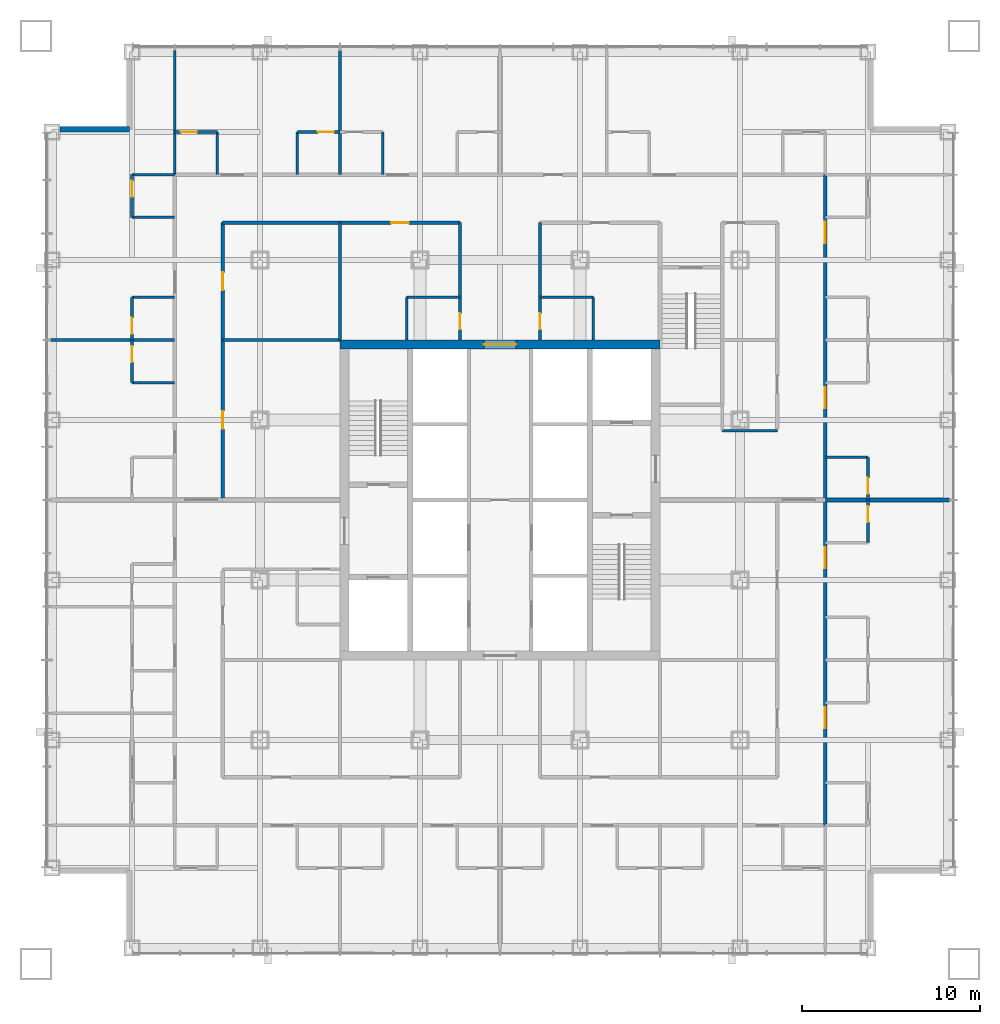
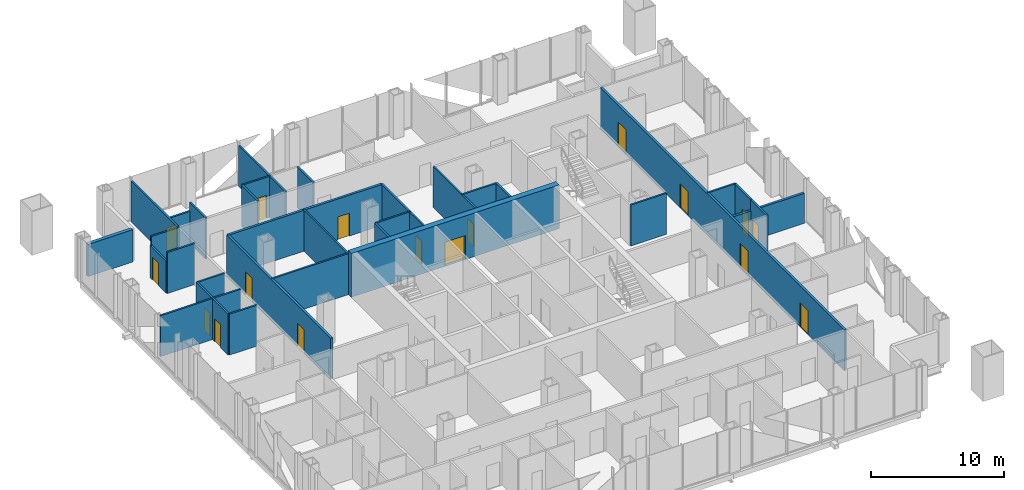
# One storey, part 10 of 13: 33 walls, 17 doors, 17 openings.
"""IFC4 building model written with IfcOpenShell, lengths in metres."""

from ifc_helpers import new_model, si_unit, direction, frame, frame_2d, origin, place, context, subcontext, project, spatial, rectangle, extrude, material, layer, layer_set, type_object, element, fill, save


model = new_model("IFC4")

# Units and contexts
model_context = context("Model", 3, precision=1e-05, world=origin(), true_north=direction((0.0, 1.0)))
body_context = subcontext(model_context, "Body", "Model", "MODEL_VIEW")
ifc_project = project(units=[si_unit("LENGTHUNIT", "METRE"), si_unit("AREAUNIT", "SQUARE_METRE"), si_unit("VOLUMEUNIT", "CUBIC_METRE"), si_unit("PLANEANGLEUNIT", "RADIAN"), si_unit("MASSUNIT", "GRAM", prefix="KILO")], contexts=[model_context])

# Site, building, storey
site_placement = place(None, origin())
site = spatial("IfcSite", under=ifc_project, at=site_placement, CompositionType="ELEMENT")
building_placement = place(site_placement, origin())
building = spatial("IfcBuilding", under=site, at=building_placement, Name="Malebo Sky Hospital", CompositionType="ELEMENT")
storey_placement = place(building_placement, frame((0.0, 0.0, 39.0)))
storey = spatial("IfcBuildingStorey", under=building, at=storey_placement, Name="L08", CompositionType="ELEMENT", Elevation=39.0)

# Wall, opening, door
ifc_material_1 = material(Name="Concrete C80/95", Category="concrete")
ifc_layer_1 = layer(ifc_material_1, 0.5)
ifc_layer_set_1 = layer_set([ifc_layer_1], Name="CORE WALL 500")
wall_type_1 = type_object("IfcWallType", Name="CORE WALL 500", PredefinedType="SHEAR", material=ifc_layer_set_1)
wall_1_placement = place(storey_placement, frame((51.0, 70.75, 0.0), z_axis=(0.0, 0.0, 1.0), x_axis=(1.0, 0.0, 0.0)))
wall_1 = element("IfcWall", 1, at=wall_1_placement, inside=storey, type_object=wall_type_1, Name="Core wall N L08", PredefinedType="SHEAR", context=body_context, shape_type="SweptSolid", body=[
    extrude(rectangle(XDim=18.0, YDim=0.5, at=frame_2d((9.0, 0.0))), origin(), (0.0, 0.0, 1.0), 4.0),
])
opening_1_placement = place(wall_1_placement, frame((8.10009765625, 0.0, 0.0)))
opening_1 = element("IfcOpeningElement", 2, at=opening_1_placement, cuts=wall_1, Name="Opening D06", PredefinedType="OPENING", context=body_context, shape_type="SweptSolid", body=[
    extrude(rectangle(XDim=1.800048828125, YDim=2.199951171875, at=frame_2d((0.89990234375, 1.10009765625))), frame((0.0, 0.260009765625, 0.0), z_axis=(0.0, -1.0, 0.0), x_axis=(1.0, 0.0, 0.0)), (0.0, 0.0, 1.0), 0.52001953125),
])
ifc_material_2 = material(Name="Hardwood-faced door leaf in steel frame", Category="steel")
door_type_1 = type_object("IfcDoorType", Name="LOBBY DOOR PAIR 1800", OperationType="DOUBLE_DOOR_SINGLE_SWING", PredefinedType="DOOR", material=ifc_material_2)
door_1_placement = place(opening_1_placement, origin())
door_1 = element("IfcDoor", 3, at=door_1_placement, inside=storey, type_object=door_type_1, Name="linen store door north", OperationType="DOUBLE_DOOR_SINGLE_SWING", OverallHeight=2.199951171875, OverallWidth=1.800048828125, PredefinedType="DOOR", context=body_context, shape_type="SweptSolid", body=[
    extrude(rectangle(XDim=1.800048828125, YDim=2.199951171875, at=frame_2d((0.89990234375, 1.10009765625))), frame((0.0, 0.02490234375, 0.0), z_axis=(0.0, -1.0, 0.0), x_axis=(1.0, 0.0, 0.0)), (0.0, 0.0, 1.0), 0.050048828125),
])
fill(opening_1, door_1)

ifc_material_3 = material(Name="Gypsum board on steel studs", Category="steel")
ifc_layer_2 = layer(ifc_material_3, 0.199951171875)
ifc_layer_set_2 = layer_set([ifc_layer_2], Name="CORRIDOR WALL 200")
wall_type_2 = type_object("IfcWallType", Name="CORRIDOR WALL 200", PredefinedType="PARTITIONING", material=ifc_layer_set_2)
wall_2_placement = place(storey_placement, frame((44.39990234375, 77.60009765625, 0.0), z_axis=(0.0, 0.0, 1.0), x_axis=(1.0, 0.0, 0.0)))
wall_2 = element("IfcWall", 4, at=wall_2_placement, inside=storey, type_object=wall_type_2, Name="Corridor Wall 200 NCI1", PredefinedType="PARTITIONING", context=body_context, shape_type="SweptSolid", body=[
    extrude(rectangle(XDim=13.35009765625, YDim=0.199951171875, at=frame_2d((6.675048828125, 0.0))), origin(), (0.0, 0.0, 1.0), 3.75),
])
opening_2_placement = place(wall_2_placement, frame((9.47509765625, 0.0, 0.0)))
opening_2 = element("IfcOpeningElement", 5, at=opening_2_placement, cuts=wall_2, Name="Opening D03", PredefinedType="OPENING", context=body_context, shape_type="SweptSolid", body=[
    extrude(rectangle(XDim=1.0, YDim=2.10009765625, at=frame_2d((0.5, 1.050048828125))), frame((0.0, 0.10986328125, 0.0), z_axis=(0.0, -1.0, 0.0), x_axis=(1.0, 0.0, 0.0)), (0.0, 0.0, 1.0), 0.219970703125),
])
door_type_2 = type_object("IfcDoorType", Name="ROOM DOOR 1000", OperationType="SINGLE_SWING_LEFT", PredefinedType="DOOR", material=ifc_material_2)
door_2_placement = place(opening_2_placement, origin())
door_2 = element("IfcDoor", 6, at=door_2_placement, inside=storey, type_object=door_type_2, Name="Ward office door", OperationType="SINGLE_SWING_LEFT", OverallHeight=2.10009765625, OverallWidth=1.0, PredefinedType="DOOR", context=body_context, shape_type="SweptSolid", body=[
    extrude(rectangle(XDim=1.0, YDim=2.10009765625, at=frame_2d((0.5, 1.050048828125))), frame((0.0, 0.02490234375, 0.0), z_axis=(0.0, -1.0, 0.0), x_axis=(1.0, 0.0, 0.0)), (0.0, 0.0, 1.0), 0.050048828125),
])
fill(opening_2, door_2)

# Wall, openings, doors
wall_3_placement = place(storey_placement, frame((44.39990234375, 62.0, 0.0), z_axis=(0.0, 0.0, 1.0), x_axis=(0.0, 1.0, 0.0)))
wall_3 = element("IfcWall", 7, at=wall_3_placement, inside=storey, type_object=wall_type_2, Name="Corridor Wall 200 WCI2", PredefinedType="PARTITIONING", context=body_context, shape_type="SweptSolid", body=[
    extrude(rectangle(XDim=15.60009765625, YDim=0.199951171875, at=frame_2d((7.800048828125, 0.0))), origin(), (0.0, 0.0, 1.0), 3.75),
])
opening_3_placement = place(wall_3_placement, frame((4.0, 0.0, 0.0)))
opening_3 = element("IfcOpeningElement", 8, at=opening_3_placement, cuts=wall_3, Name="Opening D03", PredefinedType="OPENING", context=body_context, shape_type="SweptSolid", body=[
    extrude(rectangle(XDim=1.0, YDim=2.10009765625, at=frame_2d((0.5, 1.050048828125))), frame((0.0, 0.10986328125, 0.0), z_axis=(0.0, -1.0, 0.0), x_axis=(1.0, 0.0, 0.0)), (0.0, 0.0, 1.0), 0.219970703125),
])
opening_4_placement = place(wall_3_placement, frame((11.800048828125, 0.0, 0.0)))
opening_4 = element("IfcOpeningElement", 9, at=opening_4_placement, cuts=wall_3, Name="Opening D03", PredefinedType="OPENING", context=body_context, shape_type="SweptSolid", body=[
    extrude(rectangle(XDim=1.0, YDim=2.10009765625, at=frame_2d((0.5, 1.050048828125))), frame((0.0, 0.10986328125, 0.0), z_axis=(0.0, -1.0, 0.0), x_axis=(1.0, 0.0, 0.0)), (0.0, 0.0, 1.0), 0.219970703125),
])
door_3_placement = place(opening_3_placement, origin())
door_3 = element("IfcDoor", 10, at=door_3_placement, inside=storey, type_object=door_type_2, Name="Nurse station door", OperationType="SINGLE_SWING_LEFT", OverallHeight=2.10009765625, OverallWidth=1.0, PredefinedType="DOOR", context=body_context, shape_type="SweptSolid", body=[
    extrude(rectangle(XDim=1.0, YDim=2.10009765625, at=frame_2d((0.5, 1.050048828125))), frame((0.0, 0.02490234375, 0.0), z_axis=(0.0, -1.0, 0.0), x_axis=(1.0, 0.0, 0.0)), (0.0, 0.0, 1.0), 0.050048828125),
])
fill(opening_3, door_3)
door_4_placement = place(opening_4_placement, origin())
door_4 = element("IfcDoor", 11, at=door_4_placement, inside=storey, type_object=door_type_2, Name="Staff base door", OperationType="SINGLE_SWING_RIGHT", OverallHeight=2.10009765625, OverallWidth=1.0, PredefinedType="DOOR", context=body_context, shape_type="SweptSolid", body=[
    extrude(rectangle(XDim=1.0, YDim=2.10009765625, at=frame_2d((0.5, 1.050048828125))), frame((0.0, 0.02490234375, 0.0), z_axis=(0.0, -1.0, 0.0), x_axis=(1.0, 0.0, 0.0)), (0.0, 0.0, 1.0), 0.050048828125),
])
fill(opening_4, door_4)

wall_4_placement = place(storey_placement, frame((78.300048828125, 80.300048828125, 0.0), z_axis=(0.0, 0.0, 1.0), x_axis=(0.0, -1.0, 0.0)))
wall_4 = element("IfcWall", 12, at=wall_4_placement, inside=storey, type_object=wall_type_2, Name="Corridor Wall 200 ECO", PredefinedType="PARTITIONING", context=body_context, shape_type="SweptSolid", body=[
    extrude(rectangle(XDim=36.60009765625, YDim=0.199951171875, at=frame_2d((18.300048828125, 0.0))), origin(), (0.0, 0.0, 1.0), 3.75),
])
opening_5_placement = place(wall_4_placement, frame((2.64990234375, 0.0, 0.0)))
opening_5 = element("IfcOpeningElement", 13, at=opening_5_placement, cuts=wall_4, Name="Opening D01", PredefinedType="OPENING", context=body_context, shape_type="SweptSolid", body=[
    extrude(rectangle(XDim=1.199951171875, YDim=2.199951171875, at=frame_2d((0.60009765625, 1.10009765625))), frame((0.0, 0.10986328125, 0.0), z_axis=(0.0, -1.0, 0.0), x_axis=(1.0, 0.0, 0.0)), (0.0, 0.0, 1.0), 0.219970703125),
])
opening_6_placement = place(wall_4_placement, frame((11.949951171875, 0.0, 0.0)))
opening_6 = element("IfcOpeningElement", 14, at=opening_6_placement, cuts=wall_4, Name="Opening D01", PredefinedType="OPENING", context=body_context, shape_type="SweptSolid", body=[
    extrude(rectangle(XDim=1.199951171875, YDim=2.199951171875, at=frame_2d((0.60009765625, 1.10009765625))), frame((0.0, 0.10986328125, 0.0), z_axis=(0.0, -1.0, 0.0), x_axis=(1.0, 0.0, 0.0)), (0.0, 0.0, 1.0), 0.219970703125),
])
opening_7_placement = place(wall_4_placement, frame((20.949951171875, 0.0, 0.0)))
opening_7 = element("IfcOpeningElement", 15, at=opening_7_placement, cuts=wall_4, Name="Opening D01", PredefinedType="OPENING", context=body_context, shape_type="SweptSolid", body=[
    extrude(rectangle(XDim=1.199951171875, YDim=2.199951171875, at=frame_2d((0.60009765625, 1.10009765625))), frame((0.0, 0.10986328125, 0.0), z_axis=(0.0, -1.0, 0.0), x_axis=(1.0, 0.0, 0.0)), (0.0, 0.0, 1.0), 0.219970703125),
])
opening_8_placement = place(wall_4_placement, frame((29.949951171875, 0.0, 0.0)))
opening_8 = element("IfcOpeningElement", 16, at=opening_8_placement, cuts=wall_4, Name="Opening D01", PredefinedType="OPENING", context=body_context, shape_type="SweptSolid", body=[
    extrude(rectangle(XDim=1.199951171875, YDim=2.199951171875, at=frame_2d((0.60009765625, 1.10009765625))), frame((0.0, 0.10986328125, 0.0), z_axis=(0.0, -1.0, 0.0), x_axis=(1.0, 0.0, 0.0)), (0.0, 0.0, 1.0), 0.219970703125),
])
door_type_3 = type_object("IfcDoorType", Name="BED DOOR 1200", OperationType="SINGLE_SWING_LEFT", PredefinedType="DOOR", material=ifc_material_2)
door_5_placement = place(opening_5_placement, origin())
door_5 = element("IfcDoor", 17, at=door_5_placement, inside=storey, type_object=door_type_3, Name="Four-bed bay door", OperationType="SINGLE_SWING_LEFT", OverallHeight=2.199951171875, OverallWidth=1.199951171875, PredefinedType="DOOR", context=body_context, shape_type="SweptSolid", body=[
    extrude(rectangle(XDim=1.199951171875, YDim=2.199951171875, at=frame_2d((0.60009765625, 1.10009765625))), frame((0.0, 0.02490234375, 0.0), z_axis=(0.0, -1.0, 0.0), x_axis=(1.0, 0.0, 0.0)), (0.0, 0.0, 1.0), 0.050048828125),
])
fill(opening_5, door_5)
door_6_placement = place(opening_6_placement, origin())
door_6 = element("IfcDoor", 18, at=door_6_placement, inside=storey, type_object=door_type_3, Name="Four-bed bay door", OperationType="SINGLE_SWING_LEFT", OverallHeight=2.199951171875, OverallWidth=1.199951171875, PredefinedType="DOOR", context=body_context, shape_type="SweptSolid", body=[
    extrude(rectangle(XDim=1.199951171875, YDim=2.199951171875, at=frame_2d((0.60009765625, 1.10009765625))), frame((0.0, 0.02490234375, 0.0), z_axis=(0.0, -1.0, 0.0), x_axis=(1.0, 0.0, 0.0)), (0.0, 0.0, 1.0), 0.050048828125),
])
fill(opening_6, door_6)
door_7_placement = place(opening_7_placement, origin())
door_7 = element("IfcDoor", 19, at=door_7_placement, inside=storey, type_object=door_type_3, Name="Four-bed bay door", OperationType="SINGLE_SWING_LEFT", OverallHeight=2.199951171875, OverallWidth=1.199951171875, PredefinedType="DOOR", context=body_context, shape_type="SweptSolid", body=[
    extrude(rectangle(XDim=1.199951171875, YDim=2.199951171875, at=frame_2d((0.60009765625, 1.10009765625))), frame((0.0, 0.02490234375, 0.0), z_axis=(0.0, -1.0, 0.0), x_axis=(1.0, 0.0, 0.0)), (0.0, 0.0, 1.0), 0.050048828125),
])
fill(opening_7, door_7)
door_8_placement = place(opening_8_placement, origin())
door_8 = element("IfcDoor", 20, at=door_8_placement, inside=storey, type_object=door_type_3, Name="Four-bed bay door", OperationType="SINGLE_SWING_LEFT", OverallHeight=2.199951171875, OverallWidth=1.199951171875, PredefinedType="DOOR", context=body_context, shape_type="SweptSolid", body=[
    extrude(rectangle(XDim=1.199951171875, YDim=2.199951171875, at=frame_2d((0.60009765625, 1.10009765625))), frame((0.0, 0.02490234375, 0.0), z_axis=(0.0, -1.0, 0.0), x_axis=(1.0, 0.0, 0.0)), (0.0, 0.0, 1.0), 0.050048828125),
])
fill(opening_8, door_8)

# Walls
ifc_material_4 = material(Name="Anodised aluminium rainscreen on steel framing", Category="steel")
ifc_layer_3 = layer(ifc_material_4, 0.300048828125)
ifc_layer_set_3 = layer_set([ifc_layer_3], Name="NOTCH RAINSCREEN WALL 300")
wall_type_3 = type_object("IfcWallType", Name="NOTCH RAINSCREEN WALL 300", PredefinedType="ELEMENTEDWALL", material=ifc_layer_set_3)
wall_5_placement = place(storey_placement, frame((35.25, 82.85009765625, 0.0), z_axis=(0.0, 0.0, 1.0), x_axis=(1.0, 0.0, 0.0)))
element("IfcWall", 21, at=wall_5_placement, inside=storey, type_object=wall_type_3, Name="Notch rainscreen wall W1 L08", PredefinedType="ELEMENTEDWALL", context=body_context, shape_type="SweptSolid", body=[
    extrude(rectangle(XDim=3.89990234375, YDim=0.300048828125, at=frame_2d((1.949951171875, 0.0))), origin(), (0.0, 0.0, 1.0), 2.949951171875),
])
ifc_layer_4 = layer(ifc_material_3, 0.14990234375)
ifc_layer_set_4 = layer_set([ifc_layer_4], Name="PARTITION 150")
wall_type_4 = type_object("IfcWallType", Name="PARTITION 150", PredefinedType="PARTITIONING", material=ifc_layer_set_4)
for number, where, z_axis, x_axis, name in (
    (22, (51.0, 80.300048828125, 0.0), (0.0, 0.0, 1.0), (0.0, 1.0, 0.0), "Partition 150 NP-9.0"),
    (23, (41.699951171875, 80.300048828125, 0.0), (0.0, 0.0, 1.0), (0.0, 1.0, 0.0), "Partition 150 NP0"),
):
    element("IfcWall", number, at=place(storey_placement, frame(where, z_axis=z_axis, x_axis=x_axis)), inside=storey, type_object=wall_type_4, Name=name, PredefinedType="PARTITIONING", context=body_context, shape_type="SweptSolid", body=[
        extrude(rectangle(XDim=6.974853515625, YDim=0.14990234375, at=frame_2d((3.4873046875, 0.0))), origin(), (0.0, 0.0, 1.0), 3.75),
    ])

# Wall, opening, door
wall_6_placement = place(storey_placement, frame((41.699951171875, 82.699951171875, 0.0), z_axis=(0.0, 0.0, 1.0), x_axis=(1.0, 0.0, 0.0)))
wall_6 = element("IfcWall", 24, at=wall_6_placement, inside=storey, type_object=wall_type_4, Name="Partition 150 NE0F", PredefinedType="PARTITIONING", context=body_context, shape_type="SweptSolid", body=[
    extrude(rectangle(XDim=2.400146484375, YDim=0.14990234375, at=frame_2d((1.2001953125, 0.0))), origin(), (0.0, 0.0, 1.0), 2.949951171875),
])
opening_9_placement = place(wall_6_placement, frame((0.35009765625, 0.0, 0.0)))
opening_9 = element("IfcOpeningElement", 25, at=opening_9_placement, cuts=wall_6, Name="Opening D02", PredefinedType="OPENING", context=body_context, shape_type="SweptSolid", body=[
    extrude(rectangle(XDim=0.89990234375, YDim=2.10009765625, at=frame_2d((0.449951171875, 1.050048828125))), frame((0.0, 0.0849609375, 0.0), z_axis=(0.0, -1.0, 0.0), x_axis=(1.0, 0.0, 0.0)), (0.0, 0.0, 1.0), 0.169921875),
])
door_type_4 = type_object("IfcDoorType", Name="EN-SUITE DOOR 900", OperationType="SINGLE_SWING_LEFT", PredefinedType="DOOR", material=ifc_material_2)
door_9_placement = place(opening_9_placement, origin())
door_9 = element("IfcDoor", 26, at=door_9_placement, inside=storey, type_object=door_type_4, Name="En-suite door", OperationType="SINGLE_SWING_LEFT", OverallHeight=2.10009765625, OverallWidth=0.89990234375, PredefinedType="DOOR", context=body_context, shape_type="SweptSolid", body=[
    extrude(rectangle(XDim=0.89990234375, YDim=2.10009765625, at=frame_2d((0.449951171875, 1.050048828125))), frame((0.0, 0.02490234375, 0.0), z_axis=(0.0, -1.0, 0.0), x_axis=(1.0, 0.0, 0.0)), (0.0, 0.0, 1.0), 0.050048828125),
])
fill(opening_9, door_9)

# Wall
wall_7_placement = place(storey_placement, frame((44.10009765625, 80.300048828125, 0.0), z_axis=(0.0, 0.0, 1.0), x_axis=(0.0, 1.0, 0.0)))
element("IfcWall", 27, at=wall_7_placement, inside=storey, type_object=wall_type_4, Name="Partition 150 NE0S", PredefinedType="PARTITIONING", context=body_context, shape_type="SweptSolid", body=[
    extrude(rectangle(XDim=2.39990234375, YDim=0.14990234375, at=frame_2d((1.199951171875, 0.0))), origin(), (0.0, 0.0, 1.0), 3.75),
])

# Wall, opening, door
wall_8_placement = place(storey_placement, frame((48.60009765625, 82.699951171875, 0.0), z_axis=(0.0, 0.0, 1.0), x_axis=(1.0, 0.0, 0.0)))
wall_8 = element("IfcWall", 28, at=wall_8_placement, inside=storey, type_object=wall_type_4, Name="Partition 150 NG0F", PredefinedType="PARTITIONING", context=body_context, shape_type="SweptSolid", body=[
    extrude(rectangle(XDim=2.39990234375, YDim=0.14990234375, at=frame_2d((1.199951171875, 0.0))), origin(), (0.0, 0.0, 1.0), 3.75),
])
opening_10_placement = place(wall_8_placement, frame((1.14990234375, 0.0, 0.0)))
opening_10 = element("IfcOpeningElement", 29, at=opening_10_placement, cuts=wall_8, Name="Opening D02", PredefinedType="OPENING", context=body_context, shape_type="SweptSolid", body=[
    extrude(rectangle(XDim=0.89990234375, YDim=2.10009765625, at=frame_2d((0.449951171875, 1.050048828125))), frame((0.0, 0.0849609375, 0.0), z_axis=(0.0, -1.0, 0.0), x_axis=(1.0, 0.0, 0.0)), (0.0, 0.0, 1.0), 0.169921875),
])
door_10_placement = place(opening_10_placement, origin())
door_10 = element("IfcDoor", 30, at=door_10_placement, inside=storey, type_object=door_type_4, Name="En-suite door", OperationType="SINGLE_SWING_RIGHT", OverallHeight=2.10009765625, OverallWidth=0.89990234375, PredefinedType="DOOR", context=body_context, shape_type="SweptSolid", body=[
    extrude(rectangle(XDim=0.89990234375, YDim=2.10009765625, at=frame_2d((0.449951171875, 1.050048828125))), frame((0.0, 0.02490234375, 0.0), z_axis=(0.0, -1.0, 0.0), x_axis=(1.0, 0.0, 0.0)), (0.0, 0.0, 1.0), 0.050048828125),
])
fill(opening_10, door_10)

# Walls
for number, where, z_axis, x_axis, name in (
    (31, (48.60009765625, 80.300048828125, 0.0), (0.0, 0.0, 1.0), (0.0, 1.0, 0.0), "Partition 150 NG0S"),
    (32, (53.39990234375, 80.300048828125, 0.0), (0.0, 0.0, 1.0), (0.0, 1.0, 0.0), "Partition 150 NE1S"),
):
    element("IfcWall", number, at=place(storey_placement, frame(where, z_axis=z_axis, x_axis=x_axis)), inside=storey, type_object=wall_type_4, Name=name, PredefinedType="PARTITIONING", context=body_context, shape_type="SweptSolid", body=[
        extrude(rectangle(XDim=2.39990234375, YDim=0.14990234375, at=frame_2d((1.199951171875, 0.0))), origin(), (0.0, 0.0, 1.0), 3.75),
    ])
wall_9_placement = place(storey_placement, frame((51.0, 71.0, 0.0), z_axis=(0.0, 0.0, 1.0), x_axis=(0.0, 1.0, 0.0)))
element("IfcWall", 33, at=wall_9_placement, inside=storey, type_object=wall_type_4, Name="Partition 150 NSP0", PredefinedType="PARTITIONING", context=body_context, shape_type="SweptSolid", body=[
    extrude(rectangle(XDim=6.60009765625, YDim=0.14990234375, at=frame_2d((3.300048828125, 0.0))), origin(), (0.0, 0.0, 1.0), 3.75),
])

# Wall, opening, door
wall_10_placement = place(storey_placement, frame((57.75, 71.0, 0.0), z_axis=(0.0, 0.0, 1.0), x_axis=(0.0, 1.0, 0.0)))
wall_10 = element("IfcWall", 34, at=wall_10_placement, inside=storey, type_object=wall_type_4, Name="Partition 150 NSPA", PredefinedType="PARTITIONING", context=body_context, shape_type="SweptSolid", body=[
    extrude(rectangle(XDim=6.60009765625, YDim=0.14990234375, at=frame_2d((3.300048828125, 0.0))), origin(), (0.0, 0.0, 1.0), 3.75),
])
opening_11_placement = place(wall_10_placement, frame((0.60009765625, 0.0, 0.0)))
opening_11 = element("IfcOpeningElement", 35, at=opening_11_placement, cuts=wall_10, Name="Opening D04", PredefinedType="OPENING", context=body_context, shape_type="SweptSolid", body=[
    extrude(rectangle(XDim=0.89990234375, YDim=2.10009765625, at=frame_2d((0.449951171875, 1.050048828125))), frame((0.0, 0.0849609375, 0.0), z_axis=(0.0, -1.0, 0.0), x_axis=(1.0, 0.0, 0.0)), (0.0, 0.0, 1.0), 0.169921875),
])
door_type_5 = type_object("IfcDoorType", Name="ROOM DOOR 900", OperationType="SINGLE_SWING_LEFT", PredefinedType="DOOR", material=ifc_material_2)
door_11_placement = place(opening_11_placement, origin())
door_11 = element("IfcDoor", 36, at=door_11_placement, inside=storey, type_object=door_type_5, Name="Staff WC door", OperationType="SINGLE_SWING_LEFT", OverallHeight=2.10009765625, OverallWidth=0.89990234375, PredefinedType="DOOR", context=body_context, shape_type="SweptSolid", body=[
    extrude(rectangle(XDim=0.89990234375, YDim=2.10009765625, at=frame_2d((0.449951171875, 1.050048828125))), frame((0.0, 0.02490234375, 0.0), z_axis=(0.0, -1.0, 0.0), x_axis=(1.0, 0.0, 0.0)), (0.0, 0.0, 1.0), 0.050048828125),
])
fill(opening_11, door_11)

wall_11_placement = place(storey_placement, frame((62.25, 71.0, 0.0), z_axis=(0.0, 0.0, 1.0), x_axis=(0.0, 1.0, 0.0)))
wall_11 = element("IfcWall", 37, at=wall_11_placement, inside=storey, type_object=wall_type_4, Name="Partition 150 NSPB", PredefinedType="PARTITIONING", context=body_context, shape_type="SweptSolid", body=[
    extrude(rectangle(XDim=6.60009765625, YDim=0.14990234375, at=frame_2d((3.300048828125, 0.0))), origin(), (0.0, 0.0, 1.0), 3.75),
])
opening_12_placement = place(wall_11_placement, frame((0.60009765625, 0.0, 0.0)))
opening_12 = element("IfcOpeningElement", 38, at=opening_12_placement, cuts=wall_11, Name="Opening D04", PredefinedType="OPENING", context=body_context, shape_type="SweptSolid", body=[
    extrude(rectangle(XDim=0.89990234375, YDim=2.10009765625, at=frame_2d((0.449951171875, 1.050048828125))), frame((0.0, 0.0849609375, 0.0), z_axis=(0.0, -1.0, 0.0), x_axis=(1.0, 0.0, 0.0)), (0.0, 0.0, 1.0), 0.169921875),
])
door_12_placement = place(opening_12_placement, origin())
door_12 = element("IfcDoor", 39, at=door_12_placement, inside=storey, type_object=door_type_5, Name="Accessible WC door", OperationType="SINGLE_SWING_LEFT", OverallHeight=2.10009765625, OverallWidth=0.89990234375, PredefinedType="DOOR", context=body_context, shape_type="SweptSolid", body=[
    extrude(rectangle(XDim=0.89990234375, YDim=2.10009765625, at=frame_2d((0.449951171875, 1.050048828125))), frame((0.0, 0.02490234375, 0.0), z_axis=(0.0, -1.0, 0.0), x_axis=(1.0, 0.0, 0.0)), (0.0, 0.0, 1.0), 0.050048828125),
])
fill(opening_12, door_12)

# Walls
wall_12_placement = place(storey_placement, frame((54.75, 73.39990234375, 0.0), z_axis=(0.0, 0.0, 1.0), x_axis=(1.0, 0.0, 0.0)))
element("IfcWall", 40, at=wall_12_placement, inside=storey, type_object=wall_type_4, Name="Partition 150 NSX0", PredefinedType="PARTITIONING", context=body_context, shape_type="SweptSolid", body=[
    extrude(rectangle(XDim=3.0, YDim=0.14990234375, at=frame_2d((1.5, 0.0))), origin(), (0.0, 0.0, 1.0), 3.75),
])
wall_13_placement = place(storey_placement, frame((54.75, 71.0, 0.0), z_axis=(0.0, 0.0, 1.0), x_axis=(0.0, 1.0, 0.0)))
element("IfcWall", 41, at=wall_13_placement, inside=storey, type_object=wall_type_4, Name="Partition 150 NSY0", PredefinedType="PARTITIONING", context=body_context, shape_type="SweptSolid", body=[
    extrude(rectangle(XDim=2.39990234375, YDim=0.14990234375, at=frame_2d((1.199951171875, 0.0))), origin(), (0.0, 0.0, 1.0), 3.75),
])
wall_14_placement = place(storey_placement, frame((62.25, 73.39990234375, 0.0), z_axis=(0.0, 0.0, 1.0), x_axis=(1.0, 0.0, 0.0)))
element("IfcWall", 42, at=wall_14_placement, inside=storey, type_object=wall_type_4, Name="Partition 150 NSX1", PredefinedType="PARTITIONING", context=body_context, shape_type="SweptSolid", body=[
    extrude(rectangle(XDim=3.0, YDim=0.14990234375, at=frame_2d((1.5, 0.0))), origin(), (0.0, 0.0, 1.0), 3.75),
])
wall_15_placement = place(storey_placement, frame((65.25, 71.0, 0.0), z_axis=(0.0, 0.0, 1.0), x_axis=(0.0, 1.0, 0.0)))
element("IfcWall", 43, at=wall_15_placement, inside=storey, type_object=wall_type_4, Name="Partition 150 NSY1", PredefinedType="PARTITIONING", context=body_context, shape_type="SweptSolid", body=[
    extrude(rectangle(XDim=2.39990234375, YDim=0.14990234375, at=frame_2d((1.199951171875, 0.0))), origin(), (0.0, 0.0, 1.0), 3.75),
])
wall_16_placement = place(storey_placement, frame((41.699951171875, 71.0, 0.0), z_axis=(0.0, 0.0, 1.0), x_axis=(-1.0, 0.0, 0.0)))
element("IfcWall", 44, at=wall_16_placement, inside=storey, type_object=wall_type_4, Name="Partition 150 WP+9.0", PredefinedType="PARTITIONING", context=body_context, shape_type="SweptSolid", body=[
    extrude(rectangle(XDim=6.974853515625, YDim=0.14990234375, at=frame_2d((3.4873046875, 0.0))), origin(), (0.0, 0.0, 1.0), 3.75),
])

# Wall, opening, door
wall_17_placement = place(storey_placement, frame((39.300048828125, 68.60009765625, 0.0), z_axis=(0.0, 0.0, 1.0), x_axis=(0.0, 1.0, 0.0)))
wall_17 = element("IfcWall", 45, at=wall_17_placement, inside=storey, type_object=wall_type_4, Name="Partition 150 WG3F", PredefinedType="PARTITIONING", context=body_context, shape_type="SweptSolid", body=[
    extrude(rectangle(XDim=2.39990234375, YDim=0.14990234375, at=frame_2d((1.199951171875, 0.0))), origin(), (0.0, 0.0, 1.0), 3.75),
])
opening_13_placement = place(wall_17_placement, frame((1.14990234375, 0.0, 0.0)))
opening_13 = element("IfcOpeningElement", 46, at=opening_13_placement, cuts=wall_17, Name="Opening D02", PredefinedType="OPENING", context=body_context, shape_type="SweptSolid", body=[
    extrude(rectangle(XDim=0.89990234375, YDim=2.10009765625, at=frame_2d((0.449951171875, 1.050048828125))), frame((0.0, 0.0849609375, 0.0), z_axis=(0.0, -1.0, 0.0), x_axis=(1.0, 0.0, 0.0)), (0.0, 0.0, 1.0), 0.169921875),
])
door_13_placement = place(opening_13_placement, origin())
door_13 = element("IfcDoor", 47, at=door_13_placement, inside=storey, type_object=door_type_4, Name="En-suite door", OperationType="SINGLE_SWING_RIGHT", OverallHeight=2.10009765625, OverallWidth=0.89990234375, PredefinedType="DOOR", context=body_context, shape_type="SweptSolid", body=[
    extrude(rectangle(XDim=0.89990234375, YDim=2.10009765625, at=frame_2d((0.449951171875, 1.050048828125))), frame((0.0, 0.02490234375, 0.0), z_axis=(0.0, -1.0, 0.0), x_axis=(1.0, 0.0, 0.0)), (0.0, 0.0, 1.0), 0.050048828125),
])
fill(opening_13, door_13)

# Wall
wall_18_placement = place(storey_placement, frame((41.699951171875, 68.60009765625, 0.0), z_axis=(0.0, 0.0, 1.0), x_axis=(-1.0, 0.0, 0.0)))
element("IfcWall", 48, at=wall_18_placement, inside=storey, type_object=wall_type_4, Name="Partition 150 WG3S", PredefinedType="PARTITIONING", context=body_context, shape_type="SweptSolid", body=[
    extrude(rectangle(XDim=2.39990234375, YDim=0.14990234375, at=frame_2d((1.199951171875, 0.0))), origin(), (0.0, 0.0, 1.0), 3.75),
])

# Wall, opening, door
wall_19_placement = place(storey_placement, frame((39.300048828125, 71.0, 0.0), z_axis=(0.0, 0.0, 1.0), x_axis=(0.0, 1.0, 0.0)))
wall_19 = element("IfcWall", 49, at=wall_19_placement, inside=storey, type_object=wall_type_4, Name="Partition 150 WE4F", PredefinedType="PARTITIONING", context=body_context, shape_type="SweptSolid", body=[
    extrude(rectangle(XDim=2.39990234375, YDim=0.14990234375, at=frame_2d((1.199951171875, 0.0))), origin(), (0.0, 0.0, 1.0), 3.75),
])
opening_14_placement = place(wall_19_placement, frame((0.35009765625, 0.0, 0.0)))
opening_14 = element("IfcOpeningElement", 50, at=opening_14_placement, cuts=wall_19, Name="Opening D02", PredefinedType="OPENING", context=body_context, shape_type="SweptSolid", body=[
    extrude(rectangle(XDim=0.89990234375, YDim=2.10009765625, at=frame_2d((0.449951171875, 1.050048828125))), frame((0.0, 0.0849609375, 0.0), z_axis=(0.0, -1.0, 0.0), x_axis=(1.0, 0.0, 0.0)), (0.0, 0.0, 1.0), 0.169921875),
])
door_14_placement = place(opening_14_placement, origin())
door_14 = element("IfcDoor", 51, at=door_14_placement, inside=storey, type_object=door_type_4, Name="En-suite door", OperationType="SINGLE_SWING_LEFT", OverallHeight=2.10009765625, OverallWidth=0.89990234375, PredefinedType="DOOR", context=body_context, shape_type="SweptSolid", body=[
    extrude(rectangle(XDim=0.89990234375, YDim=2.10009765625, at=frame_2d((0.449951171875, 1.050048828125))), frame((0.0, 0.02490234375, 0.0), z_axis=(0.0, -1.0, 0.0), x_axis=(1.0, 0.0, 0.0)), (0.0, 0.0, 1.0), 0.050048828125),
])
fill(opening_14, door_14)

# Wall
wall_20_placement = place(storey_placement, frame((41.699951171875, 73.39990234375, 0.0), z_axis=(0.0, 0.0, 1.0), x_axis=(-1.0, 0.0, 0.0)))
element("IfcWall", 52, at=wall_20_placement, inside=storey, type_object=wall_type_4, Name="Partition 150 WE4S", PredefinedType="PARTITIONING", context=body_context, shape_type="SweptSolid", body=[
    extrude(rectangle(XDim=2.39990234375, YDim=0.14990234375, at=frame_2d((1.199951171875, 0.0))), origin(), (0.0, 0.0, 1.0), 3.75),
])

# Wall, opening, door
wall_21_placement = place(storey_placement, frame((39.300048828125, 77.89990234375, 0.0), z_axis=(0.0, 0.0, 1.0), x_axis=(0.0, 1.0, 0.0)))
wall_21 = element("IfcWall", 53, at=wall_21_placement, inside=storey, type_object=wall_type_4, Name="Partition 150 WG4F", PredefinedType="PARTITIONING", context=body_context, shape_type="SweptSolid", body=[
    extrude(rectangle(XDim=2.400146484375, YDim=0.14990234375, at=frame_2d((1.2001953125, 0.0))), origin(), (0.0, 0.0, 1.0), 2.949951171875),
])
opening_15_placement = place(wall_21_placement, frame((1.14990234375, 0.0, 0.0)))
opening_15 = element("IfcOpeningElement", 54, at=opening_15_placement, cuts=wall_21, Name="Opening D02", PredefinedType="OPENING", context=body_context, shape_type="SweptSolid", body=[
    extrude(rectangle(XDim=0.89990234375, YDim=2.10009765625, at=frame_2d((0.449951171875, 1.050048828125))), frame((0.0, 0.0849609375, 0.0), z_axis=(0.0, -1.0, 0.0), x_axis=(1.0, 0.0, 0.0)), (0.0, 0.0, 1.0), 0.169921875),
])
door_15_placement = place(opening_15_placement, origin())
door_15 = element("IfcDoor", 55, at=door_15_placement, inside=storey, type_object=door_type_4, Name="En-suite door", OperationType="SINGLE_SWING_RIGHT", OverallHeight=2.10009765625, OverallWidth=0.89990234375, PredefinedType="DOOR", context=body_context, shape_type="SweptSolid", body=[
    extrude(rectangle(XDim=0.89990234375, YDim=2.10009765625, at=frame_2d((0.449951171875, 1.050048828125))), frame((0.0, 0.02490234375, 0.0), z_axis=(0.0, -1.0, 0.0), x_axis=(1.0, 0.0, 0.0)), (0.0, 0.0, 1.0), 0.050048828125),
])
fill(opening_15, door_15)

# Walls
for number, where, z_axis, x_axis, name in (
    (56, (41.699951171875, 77.89990234375, 0.0), (0.0, 0.0, 1.0), (-1.0, 0.0, 0.0), "Partition 150 WG4S"),
    (57, (41.699951171875, 80.300048828125, 0.0), (0.0, 0.0, 1.0), (-1.0, 0.0, 0.0), "Partition 150 WEZ"),
):
    element("IfcWall", number, at=place(storey_placement, frame(where, z_axis=z_axis, x_axis=x_axis)), inside=storey, type_object=wall_type_4, Name=name, PredefinedType="PARTITIONING", context=body_context, shape_type="SweptSolid", body=[
        extrude(rectangle(XDim=2.39990234375, YDim=0.14990234375, at=frame_2d((1.199951171875, 0.0))), origin(), (0.0, 0.0, 1.0), 3.75),
    ])
wall_22_placement = place(storey_placement, frame((51.0, 71.0, 0.0), z_axis=(0.0, 0.0, 1.0), x_axis=(-1.0, 0.0, 0.0)))
element("IfcWall", 58, at=wall_22_placement, inside=storey, type_object=wall_type_4, Name="Partition 150 WSP+9.0", PredefinedType="PARTITIONING", context=body_context, shape_type="SweptSolid", body=[
    extrude(rectangle(XDim=6.60009765625, YDim=0.14990234375, at=frame_2d((3.300048828125, 0.0))), origin(), (0.0, 0.0, 1.0), 3.75),
])

# Wall, opening, door
wall_23_placement = place(storey_placement, frame((80.699951171875, 64.39990234375, 0.0), z_axis=(0.0, 0.0, 1.0), x_axis=(0.0, -1.0, 0.0)))
wall_23 = element("IfcWall", 59, at=wall_23_placement, inside=storey, type_object=wall_type_4, Name="Partition 150 EG1F", PredefinedType="PARTITIONING", context=body_context, shape_type="SweptSolid", body=[
    extrude(rectangle(XDim=2.39990234375, YDim=0.14990234375, at=frame_2d((1.199951171875, 0.0))), origin(), (0.0, 0.0, 1.0), 3.75),
])
opening_16_placement = place(wall_23_placement, frame((1.14990234375, 0.0, 0.0)))
opening_16 = element("IfcOpeningElement", 60, at=opening_16_placement, cuts=wall_23, Name="Opening D02", PredefinedType="OPENING", context=body_context, shape_type="SweptSolid", body=[
    extrude(rectangle(XDim=0.89990234375, YDim=2.10009765625, at=frame_2d((0.449951171875, 1.050048828125))), frame((0.0, 0.0849609375, 0.0), z_axis=(0.0, -1.0, 0.0), x_axis=(1.0, 0.0, 0.0)), (0.0, 0.0, 1.0), 0.169921875),
])
door_16_placement = place(opening_16_placement, origin())
door_16 = element("IfcDoor", 61, at=door_16_placement, inside=storey, type_object=door_type_4, Name="En-suite door", OperationType="SINGLE_SWING_RIGHT", OverallHeight=2.10009765625, OverallWidth=0.89990234375, PredefinedType="DOOR", context=body_context, shape_type="SweptSolid", body=[
    extrude(rectangle(XDim=0.89990234375, YDim=2.10009765625, at=frame_2d((0.449951171875, 1.050048828125))), frame((0.0, 0.02490234375, 0.0), z_axis=(0.0, -1.0, 0.0), x_axis=(1.0, 0.0, 0.0)), (0.0, 0.0, 1.0), 0.050048828125),
])
fill(opening_16, door_16)

# Wall
wall_24_placement = place(storey_placement, frame((78.300048828125, 64.39990234375, 0.0), z_axis=(0.0, 0.0, 1.0), x_axis=(1.0, 0.0, 0.0)))
element("IfcWall", 62, at=wall_24_placement, inside=storey, type_object=wall_type_4, Name="Partition 150 EG1S", PredefinedType="PARTITIONING", context=body_context, shape_type="SweptSolid", body=[
    extrude(rectangle(XDim=2.39990234375, YDim=0.14990234375, at=frame_2d((1.199951171875, 0.0))), origin(), (0.0, 0.0, 1.0), 3.75),
])

# Wall, opening, door
wall_25_placement = place(storey_placement, frame((80.699951171875, 62.0, 0.0), z_axis=(0.0, 0.0, 1.0), x_axis=(0.0, -1.0, 0.0)))
wall_25 = element("IfcWall", 63, at=wall_25_placement, inside=storey, type_object=wall_type_4, Name="Partition 150 EE2F", PredefinedType="PARTITIONING", context=body_context, shape_type="SweptSolid", body=[
    extrude(rectangle(XDim=2.39990234375, YDim=0.14990234375, at=frame_2d((1.199951171875, 0.0))), origin(), (0.0, 0.0, 1.0), 3.75),
])
opening_17_placement = place(wall_25_placement, frame((0.35009765625, 0.0, 0.0)))
opening_17 = element("IfcOpeningElement", 64, at=opening_17_placement, cuts=wall_25, Name="Opening D02", PredefinedType="OPENING", context=body_context, shape_type="SweptSolid", body=[
    extrude(rectangle(XDim=0.89990234375, YDim=2.10009765625, at=frame_2d((0.449951171875, 1.050048828125))), frame((0.0, 0.0849609375, 0.0), z_axis=(0.0, -1.0, 0.0), x_axis=(1.0, 0.0, 0.0)), (0.0, 0.0, 1.0), 0.169921875),
])
door_17_placement = place(opening_17_placement, origin())
door_17 = element("IfcDoor", 65, at=door_17_placement, inside=storey, type_object=door_type_4, Name="En-suite door", OperationType="SINGLE_SWING_LEFT", OverallHeight=2.10009765625, OverallWidth=0.89990234375, PredefinedType="DOOR", context=body_context, shape_type="SweptSolid", body=[
    extrude(rectangle(XDim=0.89990234375, YDim=2.10009765625, at=frame_2d((0.449951171875, 1.050048828125))), frame((0.0, 0.02490234375, 0.0), z_axis=(0.0, -1.0, 0.0), x_axis=(1.0, 0.0, 0.0)), (0.0, 0.0, 1.0), 0.050048828125),
])
fill(opening_17, door_17)

# Walls
wall_26_placement = place(storey_placement, frame((72.5, 65.89990234375, 0.0), z_axis=(0.0, 0.0, 1.0), x_axis=(1.0, 0.0, 0.0)))
element("IfcWall", 66, at=wall_26_placement, inside=storey, type_object=wall_type_4, Name="Partition 150 ESPA", PredefinedType="PARTITIONING", context=body_context, shape_type="SweptSolid", body=[
    extrude(rectangle(XDim=3.10009765625, YDim=0.14990234375, at=frame_2d((1.550048828125, 0.0))), origin(), (0.0, 0.0, 1.0), 3.75),
])
ifc_material_5 = material(Name="Concrete blockwork", Category="masonry")
ifc_layer_5 = layer(ifc_material_5, 0.199951171875)
ifc_layer_set_5 = layer_set([ifc_layer_5], Name="SMOKE BARRIER WALL 200")
wall_type_5 = type_object("IfcWallType", Name="SMOKE BARRIER WALL 200", PredefinedType="SOLIDWALL", material=ifc_layer_set_5)
wall_27_placement = place(storey_placement, frame((78.300048828125, 62.0, 0.0), z_axis=(0.0, 0.0, 1.0), x_axis=(1.0, 0.0, 0.0)))
element("IfcWall", 67, at=wall_27_placement, inside=storey, type_object=wall_type_5, Name="Smoke Barrier Wall 200 EP+0.0", PredefinedType="SOLIDWALL", context=body_context, shape_type="SweptSolid", body=[
    extrude(rectangle(XDim=6.974853515625, YDim=0.199951171875, at=frame_2d((3.4873046875, 0.0))), origin(), (0.0, 0.0, 1.0), 2.75),
])

save(model, "model.ifc")
